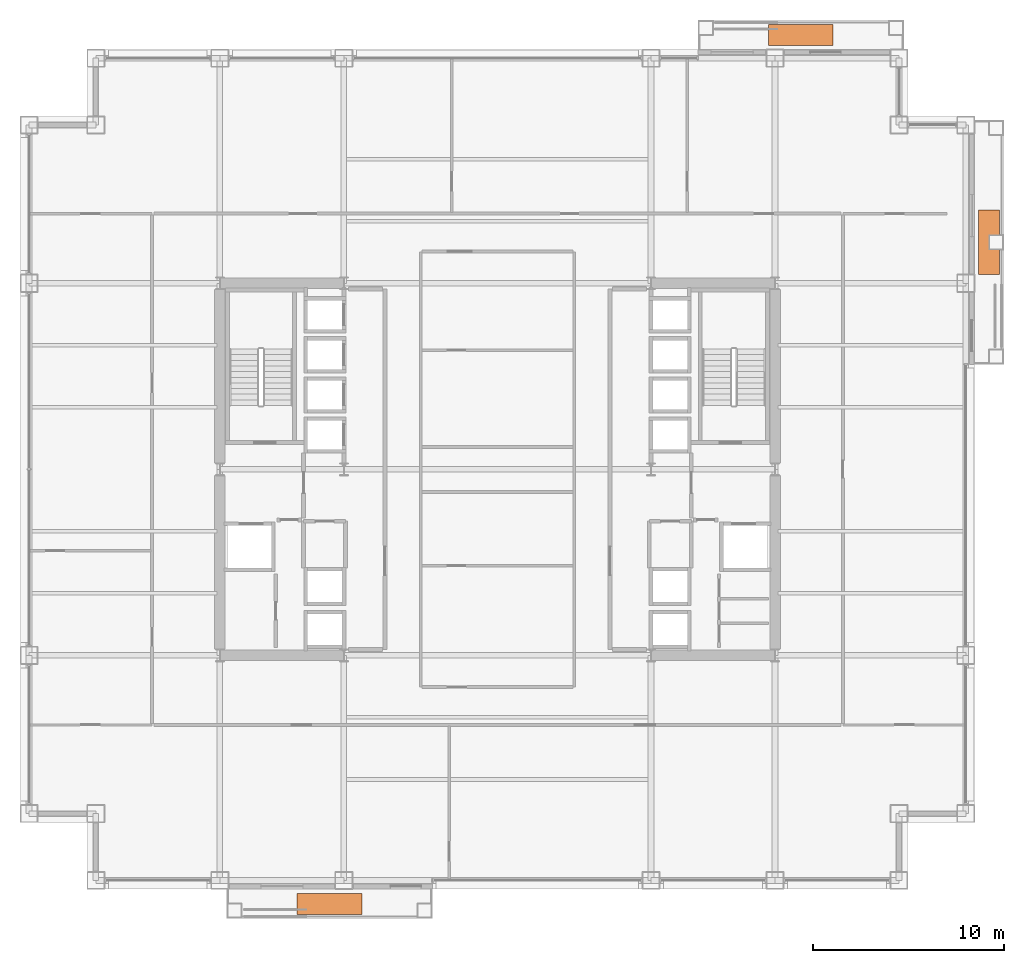
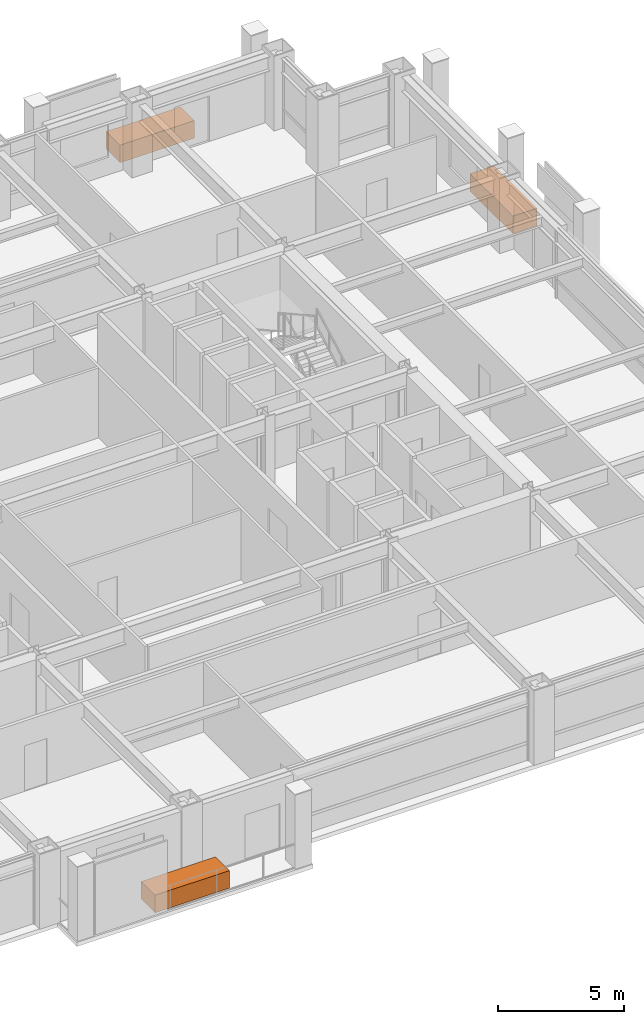
# One storey, part 31 of 31: 3 proxies.
"""IFC4 building model written with IfcOpenShell, lengths in metres."""

import ifcopenshell
import ifcopenshell.guid

model = None  # the IFC model being written
_history = None  # IfcOwnerHistory: only IFC2X3 demands one
_inside = {}  # id of a spatial element -> (the spatial element, [elements in it])
_under = {}  # id of a project, library or spatial element -> (it, [spatial elements below it])
_declared = {}  # id of a project -> (the project, [libraries it declares])
_typed = {}  # id of a type object -> (the type object, [elements of that type])
_made_of = {}  # id of a material, layer set ... -> (it, [elements and type objects made of it])


def new_model(schema):
    """Start an empty IFC model of exactly this schema.

    Asked for "IFC4X3", IfcOpenShell would pick the latest addendum, in which some entities
    have other attributes; the version numbers below select the first issue.
    IFC2X3 requires an IfcOwnerHistory on every rooted entity: one is made here for all.
    """
    global model, _history
    if schema == "IFC4X3":
        model = ifcopenshell.file(schema_version=(4, 3, 0, 0))
    else:
        model = ifcopenshell.file(schema=schema)
    _inside.clear()
    _under.clear()
    _declared.clear()
    _typed.clear()
    _made_of.clear()
    _history = None
    if model.schema == "IFC2X3":
        org = make("IfcOrganization", Name="unknown")
        user = make(
            "IfcPersonAndOrganization",
            ThePerson=make("IfcPerson", FamilyName="unknown"),
            TheOrganization=org,
        )
        app = make(
            "IfcApplication",
            ApplicationDeveloper=org,
            Version="unknown",
            ApplicationFullName="unknown",
            ApplicationIdentifier="unknown",
        )
        _history = make(
            "IfcOwnerHistory",
            OwningUser=user,
            OwningApplication=app,
            ChangeAction="ADDED",
            CreationDate=0,
        )
    return model


def make(cls, **values):
    """One entity of the class cls with the attributes given. An attribute that is None is left unset."""
    return model.create_entity(
        cls, **{name: value for name, value in values.items() if value is not None}
    )


def rooted(cls, **values):
    """An entity with a GlobalId (a new one), such as an element, a storey or a relation."""
    return make(cls, GlobalId=ifcopenshell.guid.new(), OwnerHistory=_history, **values)


def si_unit(unit_type, name, prefix=None):
    """IfcSIUnit, for example si_unit("LENGTHUNIT", "METRE", prefix="MILLI")."""
    return make("IfcSIUnit", UnitType=unit_type, Prefix=prefix, Name=name)


def assignment(units):
    """IfcUnitAssignment: the units of a project."""
    return None if units is None else make("IfcUnitAssignment", Units=units)


def point(xyz):
    """IfcCartesianPoint."""
    return None if xyz is None else make("IfcCartesianPoint", Coordinates=xyz)


def direction(xyz):
    """IfcDirection."""
    return None if xyz is None else make("IfcDirection", DirectionRatios=xyz)


def frame(location, z_axis=None, x_axis=None):
    """IfcAxis2Placement3D, a coordinate frame: its origin and axes. An axis left out is left unset."""
    return make(
        "IfcAxis2Placement3D",
        Location=point(location),
        Axis=direction(z_axis),
        RefDirection=direction(x_axis),
    )


def frame_2d(location, x_axis=None):
    """IfcAxis2Placement2D, a coordinate frame in the plane: its origin and x axis."""
    return make(
        "IfcAxis2Placement2D", Location=point(location), RefDirection=direction(x_axis)
    )


def origin():
    """The frame at (0, 0, 0) with its axes left unset."""
    return frame((0.0, 0.0, 0.0))


def origin_2d():
    """The frame at (0, 0) in the plane with its x axis left unset."""
    return frame_2d((0.0, 0.0))


def place(relative_to, where):
    """IfcLocalPlacement: puts the frame where relative to a parent placement (None: the world)."""
    return make(
        "IfcLocalPlacement", PlacementRelTo=relative_to, RelativePlacement=where
    )


def context(
    kind, dimensions, precision=None, world=None, true_north=None, identifier=None
):
    """IfcGeometricRepresentationContext, for example the 3D "Model" context."""
    return make(
        "IfcGeometricRepresentationContext",
        ContextIdentifier=identifier,
        ContextType=kind,
        CoordinateSpaceDimension=dimensions,
        Precision=precision,
        WorldCoordinateSystem=world,
        TrueNorth=true_north,
    )


def subcontext(parent, identifier, kind, view, scale=None):
    """IfcGeometricRepresentationSubContext, for example "Body" below "Model"."""
    return make(
        "IfcGeometricRepresentationSubContext",
        ContextIdentifier=identifier,
        ContextType=kind,
        ParentContext=parent,
        TargetScale=scale,
        TargetView=view,
    )


def project(units=None, contexts=None):
    """IfcProject with its units and contexts."""
    return rooted(
        "IfcProject",
        Name="project",
        RepresentationContexts=contexts,
        UnitsInContext=assignment(units),
    )


def spatial(cls, under=None, at=None, **own):
    """A site, building, storey or space (cls), placed at a placement, below another one or the project."""
    s = rooted(cls, ObjectPlacement=at, **own)
    if under is not None:
        _under.setdefault(under.id(), (under, []))[1].append(s)
    return s


def profile(cls, at=None, kind="AREA", **sizes):
    """A parametric profile (cls). Its sizes go by their IFC names, for example OverallWidth=200.0."""
    return make(cls, ProfileType=kind, Position=at, **sizes)


def rectangle(**sizes):
    """IfcRectangleProfileDef."""
    return profile("IfcRectangleProfileDef", **sizes)


def extrude(swept, where, along, depth):
    """IfcExtrudedAreaSolid: the profile swept, set in the frame where, extruded along a direction by depth."""
    return make(
        "IfcExtrudedAreaSolid",
        SweptArea=swept,
        Position=where,
        ExtrudedDirection=direction(along),
        Depth=depth,
    )


def shape(context_of_items, identifier, shape_type, items):
    """IfcShapeRepresentation: the items that make up one representation, for example the "Body"."""
    return make(
        "IfcShapeRepresentation",
        ContextOfItems=context_of_items,
        RepresentationIdentifier=identifier,
        RepresentationType=shape_type,
        Items=items,
    )


def material(Name=None, Category=None):
    """IfcMaterial."""
    return make("IfcMaterial", Name=Name, Category=Category)


def made_of(thing, what):
    """Note that an element or type object is made of a material, layer set ...; save() writes the relation."""
    if what is not None:
        _made_of.setdefault(what.id(), (what, []))[1].append(thing)
    return thing


def type_object(cls, material=None, **own):
    """A type object (cls), such as IfcWallType, which elements share."""
    return made_of(rooted(cls, **own), material)


def element(
    cls,
    number,
    at=None,
    inside=None,
    cuts=None,
    type_object=None,
    material=None,
    context=None,
    identifier="Body",
    shape_type=None,
    held_by="IfcProductDefinitionShape",
    body=None,
    shapes=None,
    **own,
):
    """One element of the class cls, such as IfcWall. Its Tag is "e" and its number.

    at: its placement. inside: the storey or other place that contains it. cuts: it is an
    opening in that element (IfcRelVoidsElement). A single representation is given by context,
    identifier, shape_type and body (its items); several are given by shapes. held_by: the class
    of the entity that holds the representations. save() writes the other relations.
    """
    e = rooted(cls, Tag="e%d" % number, ObjectPlacement=at, **own)
    if body is not None:
        shapes = [shape(context, identifier, shape_type, body)]
    if shapes is not None:
        e.Representation = make(held_by, Representations=shapes)
    if inside is not None:
        _inside.setdefault(inside.id(), (inside, []))[1].append(e)
    if cuts is not None:
        rooted(
            "IfcRelVoidsElement", RelatingBuildingElement=cuts, RelatedOpeningElement=e
        )
    if type_object is not None:
        _typed.setdefault(type_object.id(), (type_object, []))[1].append(e)
    return made_of(e, material)


def aggregate(whole, parts):
    """IfcRelAggregates: a whole, such as a stair, and the parts it consists of."""
    return rooted("IfcRelAggregates", RelatingObject=whole, RelatedObjects=parts)


def save(model, path):
    """Write the relations noted so far, then the file.

    IfcRelAggregates (storeys below a building ...), IfcRelContainedInSpatialStructure (elements
    in a storey), IfcRelDefinesByType, IfcRelAssociatesMaterial and IfcRelDeclares: one each for
    every whole, place, type object, material and project.
    """
    for whole, parts in _under.values():
        aggregate(whole, parts)
    for where, things in _inside.values():
        rooted(
            "IfcRelContainedInSpatialStructure",
            RelatedElements=things,
            RelatingStructure=where,
        )
    for kind, things in _typed.values():
        rooted("IfcRelDefinesByType", RelatedObjects=things, RelatingType=kind)
    for what, things in _made_of.values():
        rooted("IfcRelAssociatesMaterial", RelatedObjects=things, RelatingMaterial=what)
    for by, libraries in _declared.values():
        rooted("IfcRelDeclares", RelatingContext=by, RelatedDefinitions=libraries)
    model.write(path)


model = new_model("IFC4")

# Units and contexts
model_context = context("Model", 3, precision=1e-05, world=origin(), true_north=direction((0.0, 1.0)))
body_context = subcontext(model_context, "Body", "Model", "MODEL_VIEW")
ifc_project = project(units=[si_unit("LENGTHUNIT", "METRE"), si_unit("AREAUNIT", "SQUARE_METRE"), si_unit("VOLUMEUNIT", "CUBIC_METRE"), si_unit("PLANEANGLEUNIT", "RADIAN"), si_unit("MASSUNIT", "GRAM", prefix="KILO")], contexts=[model_context])

# Site, building, storey
site_placement = place(None, origin())
site = spatial("IfcSite", under=ifc_project, at=site_placement, CompositionType="ELEMENT")
building_placement = place(site_placement, origin())
building = spatial("IfcBuilding", under=site, at=building_placement, Name="Brelmoor Portico Tower", CompositionType="ELEMENT")
storey_placement = place(building_placement, frame((0.0, 0.0, 38.39990234375)))
storey = spatial("IfcBuildingStorey", under=building, at=storey_placement, Name="L09", CompositionType="ELEMENT", Elevation=38.39990234375)

# Proxies
ifc_material = material(Name="Architectural Precast Concrete C40", Category="concrete")
building_element_proxy_type = type_object("IfcBuildingElementProxyType", Name="TREE PLANTER", PredefinedType="USERDEFINED", material=ifc_material)
for number, where, z_axis, x_axis, name in (
    (1, (-8.800048828125, -22.77490234375, 0.0), (0.0, 0.0, 1.0), (1.0, 0.0, 0.0), "L09 Planted Tree Planter S"),
    (2, (15.89990234375, 22.77490234375, 0.0), (0.0, 0.0, 1.0), (1.0, 0.0, 0.0), "L09 Planted Tree Planter N"),
    (3, (25.77490234375, 11.89990234375, 0.0), (0.0, 0.0, 1.0), (0.0, 1.0, 0.0), "L09 Planted Tree Planter E"),
):
    element("IfcBuildingElementProxy", number, at=place(storey_placement, frame(where, z_axis=z_axis, x_axis=x_axis)), inside=storey, type_object=building_element_proxy_type, Name=name, ObjectType="PLANTER", PredefinedType="USERDEFINED", context=body_context, shape_type="SweptSolid", body=[
        extrude(rectangle(XDim=3.39990234375, YDim=1.10009765625, at=origin_2d()), origin(), (0.0, 0.0, 1.0), 0.85009765625),
    ])

save(model, "model.ifc")
